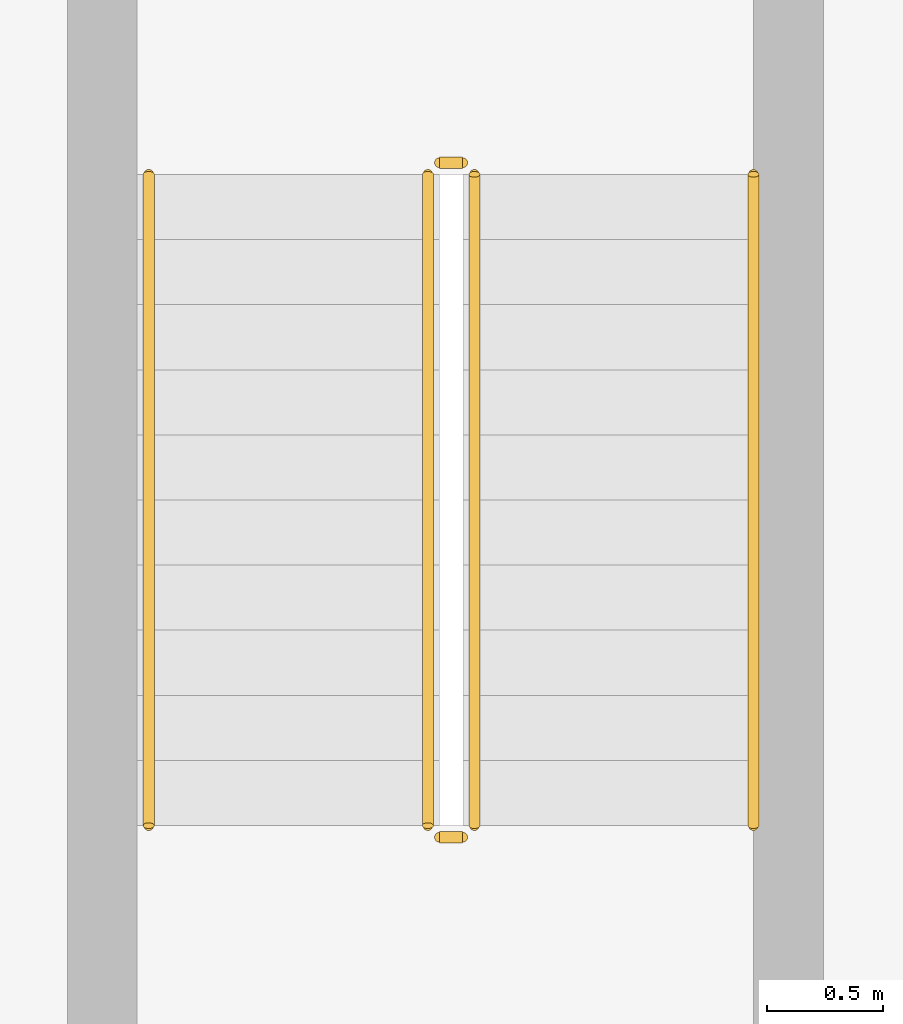
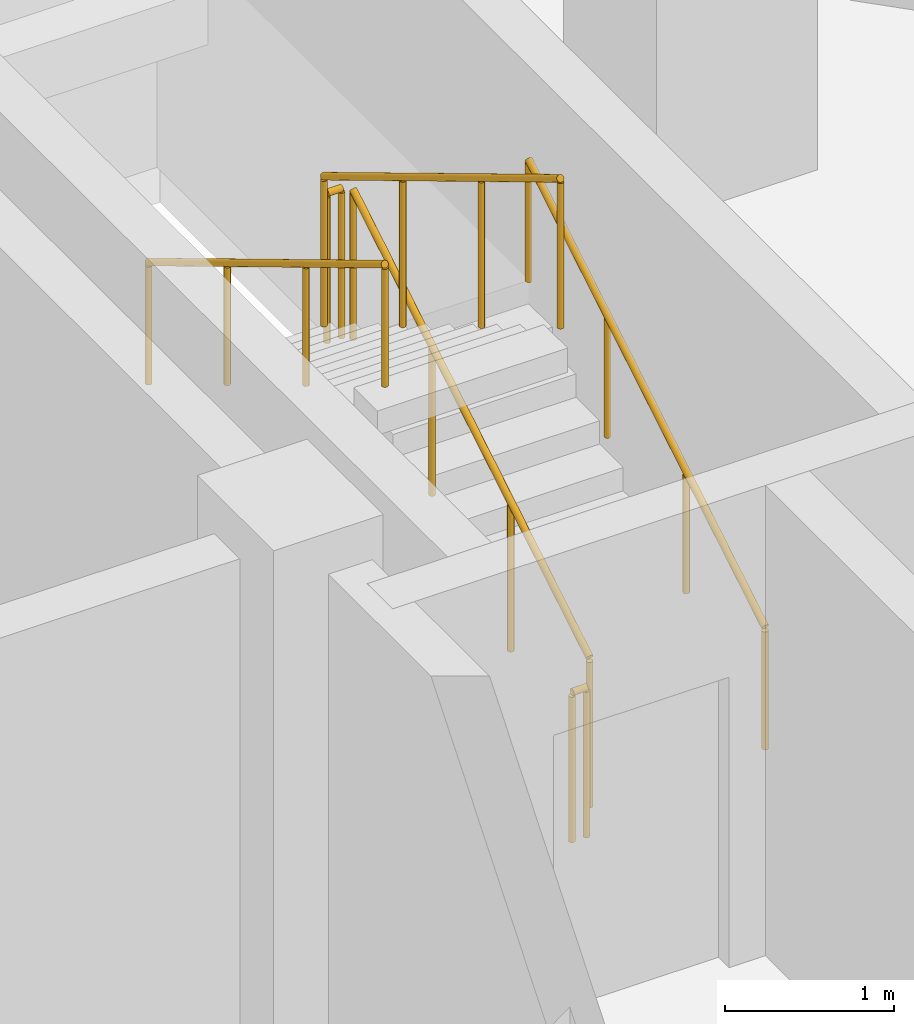
# One storey, part 23 of 23: 6 railings.
"""IFC4 building model written with IfcOpenShell, lengths in metres."""

from ifc_helpers import new_model, si_unit, direction, frame, origin, origin_2d, place, context, subcontext, project, spatial, circle, extrude, material, type_object, element, save


model = new_model("IFC4")

# Units and contexts
model_context = context("Model", 3, precision=1e-05, world=origin(), true_north=direction((0.0, 1.0)))
body_context = subcontext(model_context, "Body", "Model", "MODEL_VIEW")
ifc_project = project(units=[si_unit("LENGTHUNIT", "METRE"), si_unit("AREAUNIT", "SQUARE_METRE"), si_unit("VOLUMEUNIT", "CUBIC_METRE"), si_unit("PLANEANGLEUNIT", "RADIAN"), si_unit("MASSUNIT", "GRAM", prefix="KILO")], contexts=[model_context])

# Site, building, storey
site_placement = place(None, origin())
site = spatial("IfcSite", under=ifc_project, at=site_placement, CompositionType="ELEMENT")
building_placement = place(site_placement, origin())
building = spatial("IfcBuilding", under=site, at=building_placement, Name="Ogive Portal Towers", CompositionType="ELEMENT")
storey_placement = place(building_placement, frame((0.0, 0.0, 175.5)))
storey = spatial("IfcBuildingStorey", under=building, at=storey_placement, Name="L43", CompositionType="ELEMENT", Elevation=175.5)

# Railings
ifc_material_1 = material(Name="Stainless steel balustrade", Category="steel")
railing_type_1 = type_object("IfcRailingType", Name="INT-GUARD", PredefinedType="GUARDRAIL", material=ifc_material_1)
railing_1_placement = place(storey_placement, frame((42.949951171875, 67.199951171875, 0.168212890625)))
element("IfcRailing", 1, at=railing_1_placement, inside=storey, type_object=railing_type_1, Name="L43 ST-A3 stair guard 1", PredefinedType="GUARDRAIL", context=body_context, shape_type="SweptSolid", body=[
    extrude(circle(Radius=0.02392578125, at=origin_2d()), frame((0.0, 0.0, 1.076171875), z_axis=(0.0, 0.857242210791, 0.514913383045), x_axis=(-1.0, 0.0, 0.0)), (0.0, 0.0, 1.0), 3.266357421875),
    extrude(circle(Radius=0.02099609375, at=origin_2d()), origin(), (0.0, 0.0, 1.0), 1.052001953125),
    extrude(circle(Radius=0.02099609375, at=origin_2d()), frame((0.0, 0.933349609375, 0.560546875)), (0.0, 0.0, 1.0), 1.052001953125),
    extrude(circle(Radius=0.02099609375, at=origin_2d()), frame((0.0, 1.86669921875, 1.121337890625)), (0.0, 0.0, 1.0), 1.052001953125),
    extrude(circle(Radius=0.02099609375, at=origin_2d()), frame((0.0, 2.800048828125, 1.681884765625)), (0.0, 0.0, 1.0), 1.052001953125),
])
railing_2_placement = place(storey_placement, frame((42.89990234375, 70.050048828125, 1.85009765625)))
element("IfcRailing", 2, at=railing_2_placement, inside=storey, type_object=railing_type_1, Name="L43 ST-A3 stair guard 2", PredefinedType="GUARDRAIL", context=body_context, shape_type="SweptSolid", body=[
    extrude(circle(Radius=0.02392578125, at=origin_2d()), frame((0.0, 0.0, 1.076171875), z_axis=(-1.0, 0.0, 0.0), x_axis=(0.0, -1.0, 0.0)), (0.0, 0.0, 1.0), 0.099853515625),
    extrude(circle(Radius=0.02099609375, at=origin_2d()), origin(), (0.0, 0.0, 1.0), 1.052001953125),
    extrude(circle(Radius=0.02099609375, at=origin_2d()), frame((-0.099853515625, 0.0, 0.0)), (0.0, 0.0, 1.0), 1.052001953125),
])
railing_3_placement = place(storey_placement, frame((42.75, 70.0, 2.01806640625)))
element("IfcRailing", 3, at=railing_3_placement, inside=storey, type_object=railing_type_1, Name="L43 ST-A3 stair guard 3", PredefinedType="GUARDRAIL", context=body_context, shape_type="SweptSolid", body=[
    extrude(circle(Radius=0.02392578125, at=origin_2d()), frame((0.0, 0.0, 1.076171875), z_axis=(0.0, -0.857242210791, 0.514913383045), x_axis=(1.0, 0.0, 0.0)), (0.0, 0.0, 1.0), 3.266357421875),
    extrude(circle(Radius=0.02099609375, at=origin_2d()), origin(), (0.0, 0.0, 1.0), 1.052001953125),
    extrude(circle(Radius=0.02099609375, at=origin_2d()), frame((0.0, -0.933349609375, 0.560546875)), (0.0, 0.0, 1.0), 1.052001953125),
    extrude(circle(Radius=0.02099609375, at=origin_2d()), frame((0.0, -1.86669921875, 1.121337890625)), (0.0, 0.0, 1.0), 1.052001953125),
    extrude(circle(Radius=0.02099609375, at=origin_2d()), frame((0.0, -2.800048828125, 1.681884765625)), (0.0, 0.0, 1.0), 1.052001953125),
])
railing_4_placement = place(storey_placement, frame((42.89990234375, 67.14990234375, 0.0)))
element("IfcRailing", 4, at=railing_4_placement, inside=storey, type_object=railing_type_1, Name="L43 ST-A3 stair guard 4", PredefinedType="GUARDRAIL", context=body_context, shape_type="SweptSolid", body=[
    extrude(circle(Radius=0.02392578125, at=origin_2d()), frame((0.0, 0.0, 1.076171875), z_axis=(-1.0, 0.0, 0.0), x_axis=(0.0, -1.0, 0.0)), (0.0, 0.0, 1.0), 0.099853515625),
    extrude(circle(Radius=0.02099609375, at=origin_2d()), origin(), (0.0, 0.0, 1.0), 1.052001953125),
    extrude(circle(Radius=0.02099609375, at=origin_2d()), frame((-0.099853515625, 0.0, 0.0)), (0.0, 0.0, 1.0), 1.052001953125),
])
ifc_material_2 = material(Name="Stainless steel handrail", Category="steel")
railing_type_2 = type_object("IfcRailingType", Name="INT-HANDRAIL", PredefinedType="HANDRAIL", material=ifc_material_2)
railing_5_placement = place(storey_placement, frame((44.14990234375, 67.199951171875, 0.168212890625)))
element("IfcRailing", 5, at=railing_5_placement, inside=storey, type_object=railing_type_2, Name="L43 ST-A3 stair handrail 1", PredefinedType="HANDRAIL", context=body_context, shape_type="SweptSolid", body=[
    extrude(circle(Radius=0.02392578125, at=origin_2d()), frame((0.0, 0.0, 0.8759765625), z_axis=(0.0, 0.857242210791, 0.514913383045), x_axis=(-1.0, 0.0, 0.0)), (0.0, 0.0, 1.0), 3.266357421875),
    extrude(circle(Radius=0.02099609375, at=origin_2d()), origin(), (0.0, 0.0, 1.0), 0.851806640625),
    extrude(circle(Radius=0.02099609375, at=origin_2d()), frame((0.0, 0.933349609375, 0.560546875)), (0.0, 0.0, 1.0), 0.851806640625),
    extrude(circle(Radius=0.02099609375, at=origin_2d()), frame((0.0, 1.86669921875, 1.121337890625)), (0.0, 0.0, 1.0), 0.851806640625),
    extrude(circle(Radius=0.02099609375, at=origin_2d()), frame((0.0, 2.800048828125, 1.681884765625)), (0.0, 0.0, 1.0), 0.851806640625),
])
railing_6_placement = place(storey_placement, frame((41.550048828125, 70.0, 2.01806640625)))
element("IfcRailing", 6, at=railing_6_placement, inside=storey, type_object=railing_type_2, Name="L43 ST-A3 stair handrail 2", PredefinedType="HANDRAIL", context=body_context, shape_type="SweptSolid", body=[
    extrude(circle(Radius=0.02392578125, at=origin_2d()), frame((0.0, 0.0, 0.8759765625), z_axis=(0.0, -0.857242210791, 0.514913383045), x_axis=(1.0, 0.0, 0.0)), (0.0, 0.0, 1.0), 3.266357421875),
    extrude(circle(Radius=0.02099609375, at=origin_2d()), origin(), (0.0, 0.0, 1.0), 0.851806640625),
    extrude(circle(Radius=0.02099609375, at=origin_2d()), frame((0.0, -0.933349609375, 0.560546875)), (0.0, 0.0, 1.0), 0.851806640625),
    extrude(circle(Radius=0.02099609375, at=origin_2d()), frame((0.0, -1.86669921875, 1.121337890625)), (0.0, 0.0, 1.0), 0.851806640625),
    extrude(circle(Radius=0.02099609375, at=origin_2d()), frame((0.0, -2.800048828125, 1.681884765625)), (0.0, 0.0, 1.0), 0.851806640625),
])

save(model, "model.ifc")
